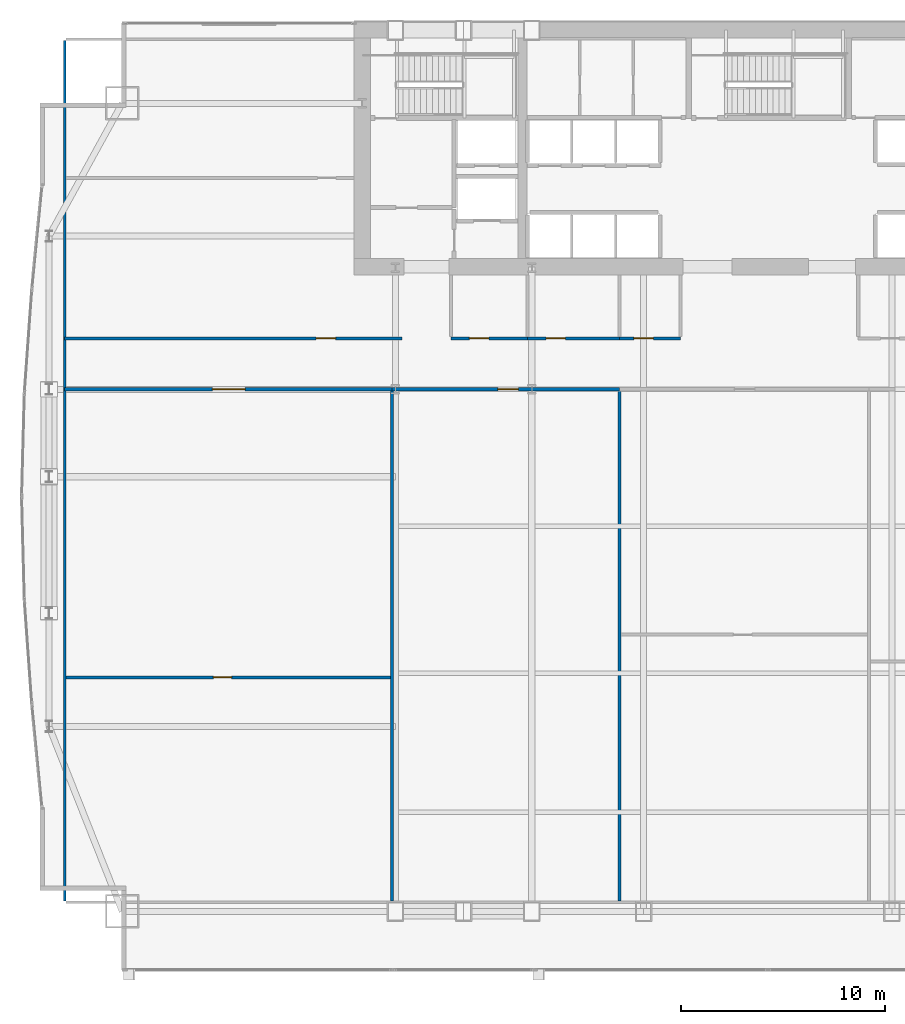
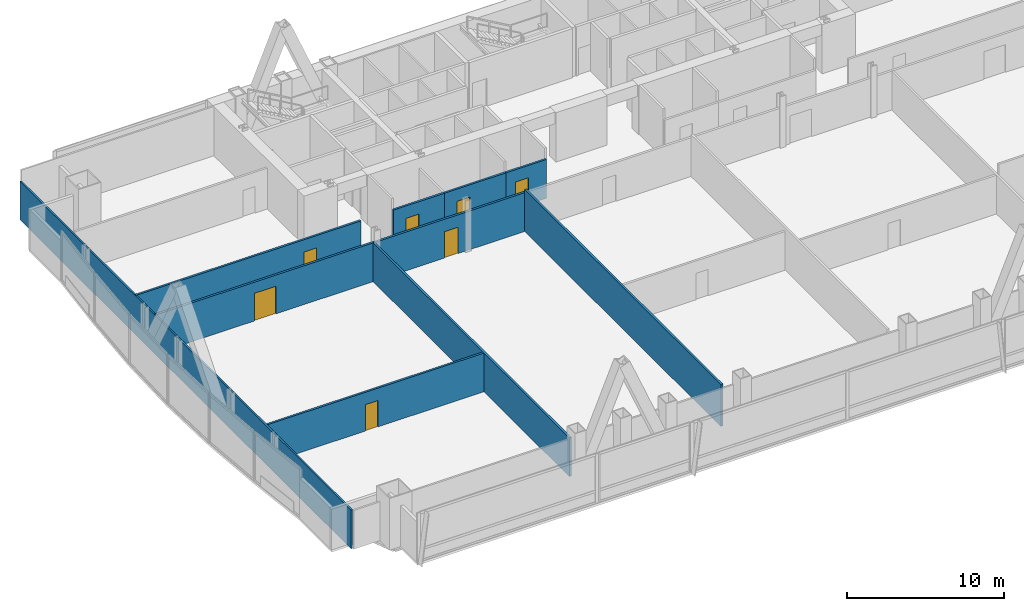
# One storey, part 27 of 33: 10 walls, 7 doors, 7 openings.
"""IFC4 building model written with IfcOpenShell, lengths in metres."""

from ifc_helpers import new_model, si_unit, direction, frame, frame_2d, origin, place, context, subcontext, project, spatial, rectangle, extrude, material, layer, layer_set, type_object, element, fill, save


model = new_model("IFC4")

# Units and contexts
model_context = context("Model", 3, precision=1e-05, world=origin(), true_north=direction((0.0, 1.0)))
body_context = subcontext(model_context, "Body", "Model", "MODEL_VIEW")
ifc_project = project(units=[si_unit("LENGTHUNIT", "METRE"), si_unit("AREAUNIT", "SQUARE_METRE"), si_unit("VOLUMEUNIT", "CUBIC_METRE"), si_unit("PLANEANGLEUNIT", "RADIAN"), si_unit("MASSUNIT", "GRAM", prefix="KILO")], contexts=[model_context])

# Site, building, storey
site_placement = place(None, origin())
site = spatial("IfcSite", under=ifc_project, at=site_placement, CompositionType="ELEMENT")
building_placement = place(site_placement, origin())
building = spatial("IfcBuilding", under=site, at=building_placement, Name="Khoronbel Lancet Exchange", CompositionType="ELEMENT")
storey_placement = place(building_placement, frame((0.0, 0.0, 73.800048828125)))
storey = spatial("IfcBuildingStorey", under=building, at=storey_placement, Name="L17", CompositionType="ELEMENT", Elevation=73.800048828125)

# Wall, opening, door
ifc_material_1 = material(Name="Acoustic Metal-Stud & Mineral-Wool Gypsum Partition 120 mm", Category="gypsum")
ifc_layer_1 = layer(ifc_material_1, 0.1201171875, Name="Acoustic Metal-Stud & Mineral-Wool Gypsum Partition 120 mm")
ifc_layer_set_1 = layer_set([ifc_layer_1], Name="Acoustic Metal-Stud & Mineral-Wool Gypsum Partition 120 mm")
wall_type_1 = type_object("IfcWallType", Name="WL-PRT120", PredefinedType="PARTITIONING", material=ifc_layer_set_1)
wall_1_placement = place(storey_placement, frame((2.094970703125, 21.599365234375, 0.0), z_axis=(0.0, 0.0, 1.0), x_axis=(1.0, 0.0, 0.0)))
wall_1 = element("IfcWall", 1, at=wall_1_placement, inside=storey, type_object=wall_type_1, Name="Level L17 interior partition PW-Z1S-H1", PredefinedType="PARTITIONING", context=body_context, shape_type="SweptSolid", body=[
    extrude(rectangle(XDim=15.893798828125, YDim=0.14990234375, at=frame_2d((7.94677734375, 0.0))), origin(), (0.0, 0.0, 1.0), 3.010009765625),
])
opening_1_placement = place(wall_1_placement, frame((7.21728515625, 0.0, 0.0)))
opening_1 = element("IfcOpeningElement", 2, at=opening_1_placement, cuts=wall_1, Name="Opening D5", PredefinedType="OPENING", context=body_context, shape_type="SweptSolid", body=[
    extrude(rectangle(XDim=0.89990234375, YDim=2.050048828125, at=frame_2d((0.449951171875, 1.02490234375))), frame((0.0, 0.0849609375, 0.0), z_axis=(0.0, -1.0, 0.0), x_axis=(1.0, 0.0, 0.0)), (0.0, 0.0, 1.0), 0.169921875),
])
ifc_material_2 = material(Name="Acoustic Timber Pantry & Support Door", Category="wood")
door_type_1 = type_object("IfcDoorType", Name="DR-D5", OperationType="NOTDEFINED", PredefinedType="DOOR", material=ifc_material_2)
door_1_placement = place(opening_1_placement, origin())
door_1 = element("IfcDoor", 3, at=door_1_placement, inside=storey, type_object=door_type_1, Name="Z1S inner door 1 L17-1", OperationType="SINGLE_SWING_RIGHT", OverallHeight=2.050048828125, OverallWidth=0.89990234375, PredefinedType="DOOR", context=body_context, shape_type="SweptSolid", body=[
    extrude(rectangle(XDim=0.89990234375, YDim=2.050048828125, at=frame_2d((0.449951171875, 1.02490234375))), frame((0.0, 0.02490234375, 0.0), z_axis=(0.0, -1.0, 0.0), x_axis=(1.0, 0.0, 0.0)), (0.0, 0.0, 1.0), 0.050048828125),
])
fill(opening_1, door_1)

# Wall
wall_2_placement = place(storey_placement, frame((2.030029296875, 10.6650390625, 0.0), z_axis=(0.0, 0.0, 1.0), x_axis=(0.0, 1.0, 0.0)))
element("IfcWall", 4, at=wall_2_placement, inside=storey, type_object=wall_type_1, Name="Level L17 interior partition PW-LIN-W", PredefinedType="PARTITIONING", context=body_context, shape_type="SweptSolid", body=[
    extrude(rectangle(XDim=42.10986328125, YDim=0.1201171875, at=frame_2d((21.054931640625, 0.0))), origin(), (0.0, 0.0, 1.0), 3.010009765625),
])

# Wall, opening, door
ifc_material_3 = material(Name="Fire-Rated Twin-Stud Acoustic Gypsum Partition 150 mm", Category="gypsum")
ifc_layer_2 = layer(ifc_material_3, 0.14990234375, Name="Fire-Rated Twin-Stud Acoustic Gypsum Partition 150 mm")
ifc_layer_set_2 = layer_set([ifc_layer_2], Name="Fire-Rated Twin-Stud Acoustic Gypsum Partition 150 mm")
wall_type_2 = type_object("IfcWallType", Name="WL-PRT150C", PredefinedType="PARTITIONING", material=ifc_layer_set_2)
wall_3_placement = place(storey_placement, frame((20.949951171875, 38.199951171875, 0.0), z_axis=(0.0, 0.0, 1.0), x_axis=(1.0, 0.0, 0.0)))
wall_3 = element("IfcWall", 5, at=wall_3_placement, inside=storey, type_object=wall_type_2, Name="Level L17 interior partition PW-WC-S1", PredefinedType="PARTITIONING", context=body_context, shape_type="SweptSolid", body=[
    extrude(rectangle(XDim=3.75, YDim=0.14990234375, at=frame_2d((1.875, 0.0))), origin(), (0.0, 0.0, 1.0), 3.010009765625),
])
opening_2_placement = place(wall_3_placement, frame((0.89990234375, 0.0, 0.0)))
opening_2 = element("IfcOpeningElement", 6, at=opening_2_placement, cuts=wall_3, Name="Opening D4", PredefinedType="OPENING", context=body_context, shape_type="SweptSolid", body=[
    extrude(rectangle(XDim=0.949951171875, YDim=2.050048828125, at=frame_2d((0.47509765625, 1.02490234375))), frame((0.0, 0.0849609375, 0.0), z_axis=(0.0, -1.0, 0.0), x_axis=(1.0, 0.0, 0.0)), (0.0, 0.0, 1.0), 0.169921875),
])
ifc_material_4 = material(Name="Moisture-Resistant HPL Washroom Door", Category="wood")
door_type_2 = type_object("IfcDoorType", Name="DR-D4", OperationType="NOTDEFINED", PredefinedType="DOOR", material=ifc_material_4)
door_2_placement = place(opening_2_placement, origin())
door_2 = element("IfcDoor", 7, at=door_2_placement, inside=storey, type_object=door_type_2, Name="Male washroom door L17-1", OperationType="SINGLE_SWING_LEFT", OverallHeight=2.050048828125, OverallWidth=0.949951171875, PredefinedType="DOOR", context=body_context, shape_type="SweptSolid", body=[
    extrude(rectangle(XDim=0.949951171875, YDim=2.050048828125, at=frame_2d((0.47509765625, 1.02490234375))), frame((0.0, 0.02490234375, 0.0), z_axis=(0.0, -1.0, 0.0), x_axis=(1.0, 0.0, 0.0)), (0.0, 0.0, 1.0), 0.050048828125),
])
fill(opening_2, door_2)

wall_4_placement = place(storey_placement, frame((24.699951171875, 38.199951171875, 0.0), z_axis=(0.0, 0.0, 1.0), x_axis=(1.0, 0.0, 0.0)))
wall_4 = element("IfcWall", 8, at=wall_4_placement, inside=storey, type_object=wall_type_2, Name="Level L17 interior partition PW-WC-S2", PredefinedType="PARTITIONING", context=body_context, shape_type="SweptSolid", body=[
    extrude(rectangle(XDim=4.5, YDim=0.14990234375, at=frame_2d((2.25, 0.0))), origin(), (0.0, 0.0, 1.0), 3.010009765625),
])
opening_3_placement = place(wall_4_placement, frame((0.89990234375, 0.0, 0.0)))
opening_3 = element("IfcOpeningElement", 9, at=opening_3_placement, cuts=wall_4, Name="Opening D4", PredefinedType="OPENING", context=body_context, shape_type="SweptSolid", body=[
    extrude(rectangle(XDim=0.949951171875, YDim=2.050048828125, at=frame_2d((0.47509765625, 1.02490234375))), frame((0.0, 0.0849609375, 0.0), z_axis=(0.0, -1.0, 0.0), x_axis=(1.0, 0.0, 0.0)), (0.0, 0.0, 1.0), 0.169921875),
])
door_3_placement = place(opening_3_placement, origin())
door_3 = element("IfcDoor", 10, at=door_3_placement, inside=storey, type_object=door_type_2, Name="Female washroom door L17-1", OperationType="SINGLE_SWING_RIGHT", OverallHeight=2.050048828125, OverallWidth=0.949951171875, PredefinedType="DOOR", context=body_context, shape_type="SweptSolid", body=[
    extrude(rectangle(XDim=0.949951171875, YDim=2.050048828125, at=frame_2d((0.47509765625, 1.02490234375))), frame((0.0, 0.02490234375, 0.0), z_axis=(0.0, -1.0, 0.0), x_axis=(1.0, 0.0, 0.0)), (0.0, 0.0, 1.0), 0.050048828125),
])
fill(opening_3, door_3)

wall_5_placement = place(storey_placement, frame((29.199951171875, 38.199951171875, 0.0), z_axis=(0.0, 0.0, 1.0), x_axis=(1.0, 0.0, 0.0)))
wall_5 = element("IfcWall", 11, at=wall_5_placement, inside=storey, type_object=wall_type_2, Name="Level L17 interior partition PW-WC-S3", PredefinedType="PARTITIONING", context=body_context, shape_type="SweptSolid", body=[
    extrude(rectangle(XDim=2.97998046875, YDim=0.14990234375, at=frame_2d((1.489990234375, 0.0))), origin(), (0.0, 0.0, 1.0), 3.010009765625),
])
opening_4_placement = place(wall_5_placement, frame((0.699951171875, 0.0, 0.0)))
opening_4 = element("IfcOpeningElement", 12, at=opening_4_placement, cuts=wall_5, Name="Opening D4", PredefinedType="OPENING", context=body_context, shape_type="SweptSolid", body=[
    extrude(rectangle(XDim=0.949951171875, YDim=2.050048828125, at=frame_2d((0.47509765625, 1.02490234375))), frame((0.0, 0.0849609375, 0.0), z_axis=(0.0, -1.0, 0.0), x_axis=(1.0, 0.0, 0.0)), (0.0, 0.0, 1.0), 0.169921875),
])
door_4_placement = place(opening_4_placement, origin())
door_4 = element("IfcDoor", 13, at=door_4_placement, inside=storey, type_object=door_type_2, Name="Accessible WC door L17-1", OperationType="SINGLE_SWING_LEFT", OverallHeight=2.050048828125, OverallWidth=0.949951171875, PredefinedType="DOOR", context=body_context, shape_type="SweptSolid", body=[
    extrude(rectangle(XDim=0.949951171875, YDim=2.050048828125, at=frame_2d((0.47509765625, 1.02490234375))), frame((0.0, 0.02490234375, 0.0), z_axis=(0.0, -1.0, 0.0), x_axis=(1.0, 0.0, 0.0)), (0.0, 0.0, 1.0), 0.050048828125),
])
fill(opening_4, door_4)

wall_6_placement = place(storey_placement, frame((2.030029296875, 38.199951171875, 0.0), z_axis=(0.0, 0.0, 1.0), x_axis=(1.0, 0.0, 0.0)))
wall_6 = element("IfcWall", 14, at=wall_6_placement, inside=storey, type_object=wall_type_2, Name="Level L17 interior partition PW-NW-S", PredefinedType="PARTITIONING", context=body_context, shape_type="SweptSolid", body=[
    extrude(rectangle(XDim=16.52001953125, YDim=0.14990234375, at=frame_2d((8.260009765625, 0.0))), origin(), (0.0, 0.0, 1.0), 3.010009765625),
])
opening_5_placement = place(wall_6_placement, frame((12.320068359375, 0.0, 0.0)))
opening_5 = element("IfcOpeningElement", 15, at=opening_5_placement, cuts=wall_6, Name="Opening D1", PredefinedType="OPENING", context=body_context, shape_type="SweptSolid", body=[
    extrude(rectangle(XDim=0.949951171875, YDim=2.050048828125, at=frame_2d((0.47509765625, 1.02490234375))), frame((0.0, 0.0849609375, 0.0), z_axis=(0.0, -1.0, 0.0), x_axis=(1.0, 0.0, 0.0)), (0.0, 0.0, 1.0), 0.169921875),
])
ifc_material_5 = material(Name="Acoustic Veneered Timber & Bronze Frame Door", Category="wood")
door_type_3 = type_object("IfcDoorType", Name="DR-D1", OperationType="NOTDEFINED", PredefinedType="DOOR", material=ifc_material_5)
door_5_placement = place(opening_5_placement, origin())
door_5 = element("IfcDoor", 16, at=door_5_placement, inside=storey, type_object=door_type_3, Name="NW corner room door L17-1", OperationType="SINGLE_SWING_RIGHT", OverallHeight=2.050048828125, OverallWidth=0.949951171875, PredefinedType="DOOR", context=body_context, shape_type="SweptSolid", body=[
    extrude(rectangle(XDim=0.949951171875, YDim=2.050048828125, at=frame_2d((0.47509765625, 1.02490234375))), frame((0.0, 0.02490234375, 0.0), z_axis=(0.0, -1.0, 0.0), x_axis=(1.0, 0.0, 0.0)), (0.0, 0.0, 1.0), 0.050048828125),
])
fill(opening_5, door_5)

# Walls
wall_7_placement = place(storey_placement, frame((18.068603515625, 10.6650390625, 0.0), z_axis=(0.0, 0.0, 1.0), x_axis=(0.0, 1.0, 0.0)))
element("IfcWall", 17, at=wall_7_placement, inside=storey, type_object=wall_type_2, Name="Level L17 interior partition PW-Z1S-V1", PredefinedType="PARTITIONING", context=body_context, shape_type="SweptSolid", body=[
    extrude(rectangle(XDim=24.949951171875, YDim=0.14990234375, at=frame_2d((12.47509765625, 0.0))), origin(), (0.0, 0.0, 1.0), 3.010009765625),
])
wall_8_placement = place(storey_placement, frame((29.1923828125, 10.6650390625, 0.0), z_axis=(0.0, 0.0, 1.0), x_axis=(0.0, 1.0, 0.0)))
element("IfcWall", 18, at=wall_8_placement, inside=storey, type_object=wall_type_2, Name="Level L17 interior partition PW-Z1S-V2", PredefinedType="PARTITIONING", context=body_context, shape_type="SweptSolid", body=[
    extrude(rectangle(XDim=24.949951171875, YDim=0.14990234375, at=frame_2d((12.47509765625, 0.0))), origin(), (0.0, 0.0, 1.0), 3.260009765625),
])

# Wall, opening, door
ifc_material_6 = material(Name="Fire-Rated Twin-Stud Acoustic Gypsum Partition 160 mm", Category="gypsum")
ifc_layer_3 = layer(ifc_material_6, 0.159912109375, Name="Fire-Rated Twin-Stud Acoustic Gypsum Partition 160 mm")
ifc_layer_set_3 = layer_set([ifc_layer_3], Name="Fire-Rated Twin-Stud Acoustic Gypsum Partition 160 mm")
wall_type_3 = type_object("IfcWallType", Name="WL-PRT160C", PredefinedType="PARTITIONING", material=ifc_layer_set_3)
wall_9_placement = place(storey_placement, frame((2.030029296875, 35.699951171875, 0.0), z_axis=(0.0, 0.0, 1.0), x_axis=(1.0, 0.0, 0.0)))
wall_9 = element("IfcWall", 19, at=wall_9_placement, inside=storey, type_object=wall_type_3, Name="Level L17 interior partition PW-Z1S-COR1", PredefinedType="PARTITIONING", context=body_context, shape_type="SweptSolid", body=[
    extrude(rectangle(XDim=16.03857421875, YDim=0.159912109375, at=frame_2d((8.019287109375, 0.0))), origin(), (0.0, 0.0, 1.0), 3.010009765625),
])
opening_6_placement = place(wall_9_placement, frame((7.236328125, 0.0, 0.0)))
opening_6 = element("IfcOpeningElement", 20, at=opening_6_placement, cuts=wall_9, Name="Opening D3", PredefinedType="OPENING", context=body_context, shape_type="SweptSolid", body=[
    extrude(rectangle(XDim=1.60009765625, YDim=2.14990234375, at=frame_2d((0.800048828125, 1.074951171875))), frame((0.0, 0.08984375, 0.0), z_axis=(0.0, -1.0, 0.0), x_axis=(1.0, 0.0, 0.0)), (0.0, 0.0, 1.0), 0.179931640625),
])
ifc_material_7 = material(Name="Glazed Bronze-Framed Double Suite Door", Category="aluminium")
door_type_4 = type_object("IfcDoorType", Name="DR-D3", OperationType="NOTDEFINED", PredefinedType="DOOR", material=ifc_material_7)
door_6_placement = place(opening_6_placement, origin())
door_6 = element("IfcDoor", 21, at=door_6_placement, inside=storey, type_object=door_type_4, Name="Z1S bay 1 door L17-1", OperationType="DOUBLE_DOOR_SINGLE_SWING", OverallHeight=2.14990234375, OverallWidth=1.60009765625, PredefinedType="DOOR", context=body_context, shape_type="SweptSolid", body=[
    extrude(rectangle(XDim=1.60009765625, YDim=2.14990234375, at=frame_2d((0.800048828125, 1.074951171875))), frame((0.0, 0.02490234375, 0.0), z_axis=(0.0, -1.0, 0.0), x_axis=(1.0, 0.0, 0.0)), (0.0, 0.0, 1.0), 0.050048828125),
])
fill(opening_6, door_6)

wall_10_placement = place(storey_placement, frame((18.068603515625, 35.699951171875, 0.0), z_axis=(0.0, 0.0, 1.0), x_axis=(1.0, 0.0, 0.0)))
wall_10 = element("IfcWall", 22, at=wall_10_placement, inside=storey, type_object=wall_type_3, Name="Level L17 interior partition PW-Z1S-COR2", PredefinedType="PARTITIONING", context=body_context, shape_type="SweptSolid", body=[
    extrude(rectangle(XDim=11.123779296875, YDim=0.159912109375, at=frame_2d((5.56201171875, 0.0))), origin(), (0.0, 0.0, 1.0), 3.010009765625),
])
opening_7_placement = place(wall_10_placement, frame((5.171875, 0.0, 0.0)))
opening_7 = element("IfcOpeningElement", 23, at=opening_7_placement, cuts=wall_10, Name="Opening D2", PredefinedType="OPENING", context=body_context, shape_type="SweptSolid", body=[
    extrude(rectangle(XDim=1.0, YDim=2.050048828125, at=frame_2d((0.5, 1.02490234375))), frame((0.0, 0.08984375, 0.0), z_axis=(0.0, -1.0, 0.0), x_axis=(1.0, 0.0, 0.0)), (0.0, 0.0, 1.0), 0.179931640625),
])
door_type_5 = type_object("IfcDoorType", Name="DR-D2", OperationType="NOTDEFINED", PredefinedType="DOOR", material=ifc_material_5)
door_7_placement = place(opening_7_placement, origin())
door_7 = element("IfcDoor", 24, at=door_7_placement, inside=storey, type_object=door_type_5, Name="Z1S bay 2 door L17-1", OperationType="SINGLE_SWING_LEFT", OverallHeight=2.050048828125, OverallWidth=1.0, PredefinedType="DOOR", context=body_context, shape_type="SweptSolid", body=[
    extrude(rectangle(XDim=1.0, YDim=2.050048828125, at=frame_2d((0.5, 1.02490234375))), frame((0.0, 0.02490234375, 0.0), z_axis=(0.0, -1.0, 0.0), x_axis=(1.0, 0.0, 0.0)), (0.0, 0.0, 1.0), 0.050048828125),
])
fill(opening_7, door_7)

save(model, "model.ifc")
